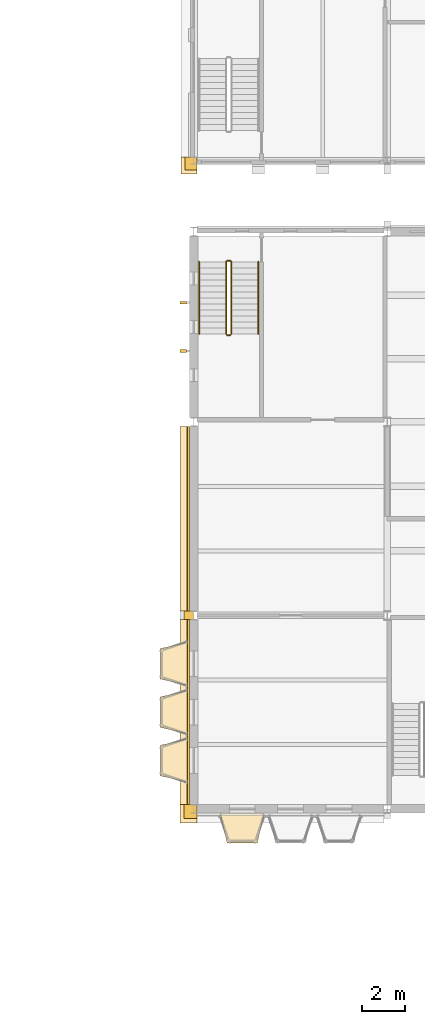
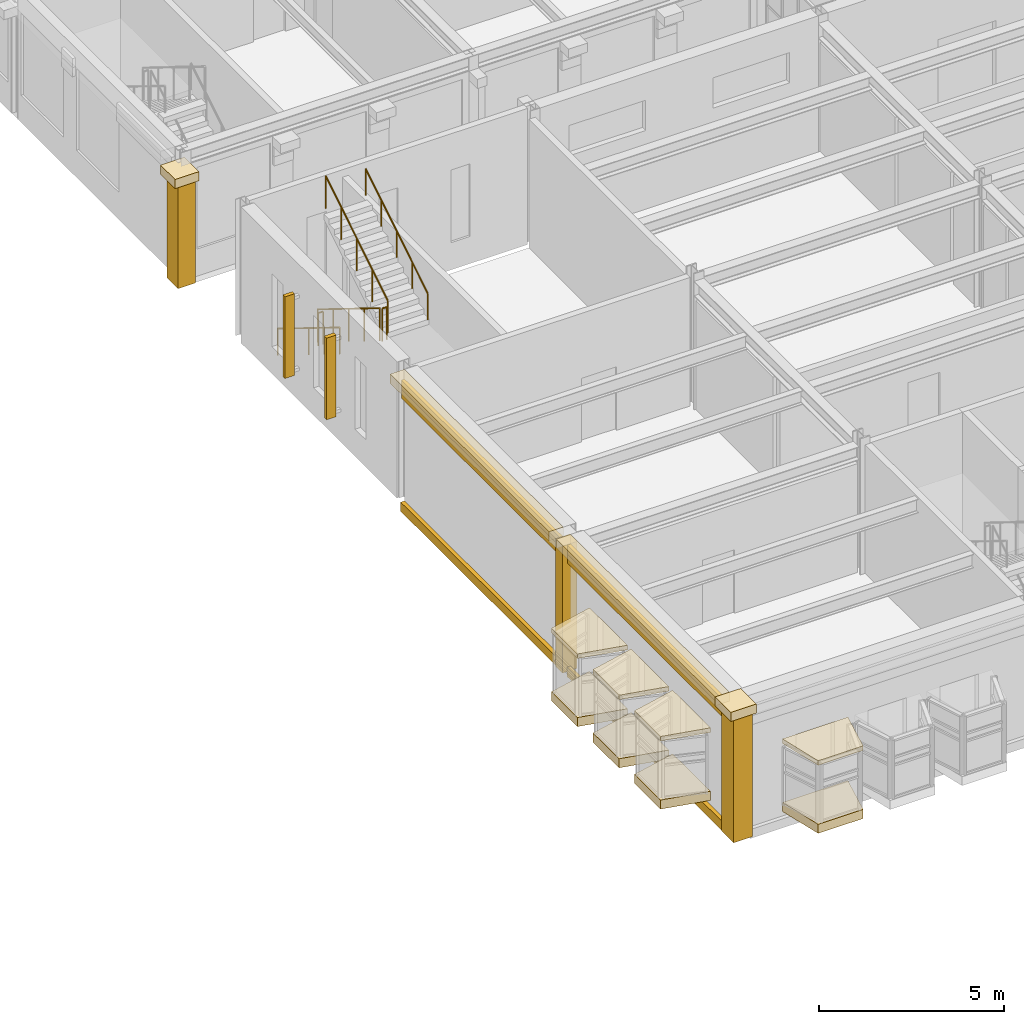
# One storey, part 131 of 153: 21 coverings, 6 railings, 2 shading devices.
"""IFC4 building model written with IfcOpenShell, lengths in metres."""

from ifc_helpers import new_model, si_unit, direction, frame, origin, origin_2d, place, context, subcontext, project, spatial, polyline, rectangle, circle, outline, extrude, material, layer, layer_set, type_object, element, save


model = new_model("IFC4")

# Units and contexts
model_context = context("Model", 3, precision=1e-05, world=origin(), true_north=direction((0.0, 1.0)))
body_context = subcontext(model_context, "Body", "Model", "MODEL_VIEW")
ifc_project = project(units=[si_unit("LENGTHUNIT", "METRE"), si_unit("AREAUNIT", "SQUARE_METRE"), si_unit("VOLUMEUNIT", "CUBIC_METRE"), si_unit("PLANEANGLEUNIT", "RADIAN"), si_unit("MASSUNIT", "GRAM", prefix="KILO")], contexts=[model_context])

# Site, building, storey
site_placement = place(None, origin())
site = spatial("IfcSite", under=ifc_project, at=site_placement, CompositionType="ELEMENT")
building_placement = place(site_placement, origin())
building = spatial("IfcBuilding", under=site, at=building_placement, Name="Kallimachos Central Library", CompositionType="ELEMENT")
storey_placement = place(building_placement, frame((0.0, 0.0, 5.39990234375)))
storey = spatial("IfcBuildingStorey", under=building, at=storey_placement, Name="L01", CompositionType="ELEMENT", Elevation=5.39990234375)

# Coverings
ifc_material_1 = material(Name="Glazed ceramic frieze, green")
ifc_layer_1 = layer(ifc_material_1, 0.10009765625)
ifc_layer_set_1 = layer_set([ifc_layer_1], Name="Glazed ceramic frieze, green")
covering_type_1 = type_object("IfcCoveringType", Name="Glazed ceramic frieze, green", PredefinedType="CLADDING", material=ifc_layer_set_1)
for number, where, z_axis, x_axis, name in (
    (1, (65.25, 22.5, 3.8798828125), (0.0, 0.0, 1.0), (1.0, 0.0, 0.0), "Glazed ceramic frieze, green -L01-020"),
    (2, (65.25, 31.5, 3.8798828125), (0.0, 0.0, 1.0), (1.0, 0.0, 0.0), "Glazed ceramic frieze, green -L01-021"),
):
    element("IfcCovering", number, at=place(storey_placement, frame(where, z_axis=z_axis, x_axis=x_axis)), inside=storey, type_object=covering_type_1, Name=name, PredefinedType="CLADDING", context=body_context, shape_type="SweptSolid", body=[
        extrude(rectangle(XDim=0.10009765625, YDim=8.60009765625, at=origin_2d()), origin(), (0.0, 0.0, 1.0), 0.300048828125),
    ])
ifc_material_2 = material(Name="Glazed ceramic frieze, ochre")
ifc_layer_2 = layer(ifc_material_2, 0.10009765625)
ifc_layer_set_2 = layer_set([ifc_layer_2], Name="Glazed ceramic frieze, ochre")
covering_type_2 = type_object("IfcCoveringType", Name="Glazed ceramic frieze, ochre", PredefinedType="CLADDING", material=ifc_layer_set_2)
for number, where, z_axis, x_axis, name in (
    (3, (65.25, 22.5, 3.580078125), (0.0, 0.0, 1.0), (1.0, 0.0, 0.0), "Glazed ceramic frieze, ochre -L01-020"),
    (4, (65.25, 31.5, 3.580078125), (0.0, 0.0, 1.0), (1.0, 0.0, 0.0), "Glazed ceramic frieze, ochre -L01-021"),
):
    element("IfcCovering", number, at=place(storey_placement, frame(where, z_axis=z_axis, x_axis=x_axis)), inside=storey, type_object=covering_type_2, Name=name, PredefinedType="CLADDING", context=body_context, shape_type="SweptSolid", body=[
        extrude(rectangle(XDim=0.10009765625, YDim=8.60009765625, at=origin_2d()), origin(), (0.0, 0.0, 1.0), 0.300048828125),
    ])

# Railings
ifc_material_3 = material(Name="Steel S355J2", Category="steel")
railing_type_1 = type_object("IfcRailingType", Name="Stair handrail 900", PredefinedType="HANDRAIL", material=ifc_material_3)
railing_1_placement = place(storey_placement, frame((65.75, 43.449951171875, 0.173095703125)))
element("IfcRailing", 5, at=railing_1_placement, inside=storey, type_object=railing_type_1, Name="L01 ST15 stair handrail 1", PredefinedType="HANDRAIL", context=body_context, shape_type="SweptSolid", body=[
    extrude(circle(Radius=0.02392578125, at=origin_2d()), frame((0.0, 0.0, 0.8759765625), z_axis=(0.0, -0.850606129759, 0.525803396734), x_axis=(1.0, 0.0, 0.0)), (0.0, 0.0, 1.0), 3.949951171875),
    extrude(circle(Radius=0.02099609375, at=origin_2d()), origin(), (0.0, 0.0, 1.0), 0.851806640625),
    extrude(circle(Radius=0.02099609375, at=origin_2d()), frame((0.0, -0.83984375, 0.519287109375)), (0.0, 0.0, 1.0), 0.851806640625),
    extrude(circle(Radius=0.02099609375, at=origin_2d()), frame((0.0, -1.679931640625, 1.03857421875)), (0.0, 0.0, 1.0), 0.851806640625),
    extrude(circle(Radius=0.02099609375, at=origin_2d()), frame((0.0, -2.52001953125, 1.5576171875)), (0.0, 0.0, 1.0), 0.851806640625),
    extrude(circle(Radius=0.02099609375, at=origin_2d()), frame((0.0, -3.35986328125, 2.076904296875)), (0.0, 0.0, 1.0), 0.851806640625),
])
railing_2_placement = place(storey_placement, frame((68.5, 40.090087890625, 2.423095703125)))
element("IfcRailing", 6, at=railing_2_placement, inside=storey, type_object=railing_type_1, Name="L01 ST15 stair handrail 2", PredefinedType="HANDRAIL", context=body_context, shape_type="SweptSolid", body=[
    extrude(circle(Radius=0.02392578125, at=origin_2d()), frame((0.0, 0.0, 0.8759765625), z_axis=(0.0, 0.850606129759, 0.525803396734), x_axis=(-1.0, 0.0, 0.0)), (0.0, 0.0, 1.0), 3.949951171875),
    extrude(circle(Radius=0.02099609375, at=origin_2d()), origin(), (0.0, 0.0, 1.0), 0.851806640625),
    extrude(circle(Radius=0.02099609375, at=origin_2d()), frame((0.0, 0.83984375, 0.519287109375)), (0.0, 0.0, 1.0), 0.851806640625),
    extrude(circle(Radius=0.02099609375, at=origin_2d()), frame((0.0, 1.679931640625, 1.03857421875)), (0.0, 0.0, 1.0), 0.851806640625),
    extrude(circle(Radius=0.02099609375, at=origin_2d()), frame((0.0, 2.52001953125, 1.5576171875)), (0.0, 0.0, 1.0), 0.851806640625),
    extrude(circle(Radius=0.02099609375, at=origin_2d()), frame((0.0, 3.35986328125, 2.076904296875)), (0.0, 0.0, 1.0), 0.851806640625),
])

# Coverings
ifc_material_4 = material(Name="Pentelic marble attic moulding", Category="masonry")
ifc_layer_3 = layer(ifc_material_4, 0.1201171875)
ifc_layer_set_3 = layer_set([ifc_layer_3], Name="Stone attic moulding 300")
covering_type_3 = type_object("IfcCoveringType", Name="Stone attic moulding 300", PredefinedType="MOLDING", material=ifc_layer_set_3)
for number, where, z_axis, x_axis, name in (
    (7, (65.239990234375, 22.5, -0.14990234375), (0.0, 0.0, 1.0), (1.0, 0.0, 0.0), "Stone attic moulding 300 -L01-020"),
    (8, (65.239990234375, 31.5, -0.14990234375), (0.0, 0.0, 1.0), (1.0, 0.0, 0.0), "Stone attic moulding 300 -L01-021"),
):
    element("IfcCovering", number, at=place(storey_placement, frame(where, z_axis=z_axis, x_axis=x_axis)), inside=storey, type_object=covering_type_3, Name=name, PredefinedType="MOLDING", context=body_context, shape_type="SweptSolid", body=[
        extrude(rectangle(XDim=0.1201171875, YDim=8.60009765625, at=origin_2d()), origin(), (0.0, 0.0, 1.0), 0.300048828125),
    ])
ifc_material_5 = material(Name="Pentelic marble cornice", Category="masonry")
ifc_layer_4 = layer(ifc_material_5, 0.449951171875)
ifc_layer_set_4 = layer_set([ifc_layer_4], Name="Stone cornice 450")
covering_type_4 = type_object("IfcCoveringType", Name="Stone cornice 450", PredefinedType="MOLDING", material=ifc_layer_set_4)
for number, where, z_axis, x_axis, name in (
    (9, (65.074951171875, 22.5, 4.2001953125), (0.0, 0.0, 1.0), (1.0, 0.0, 0.0), "Stone cornice 450 -L01-020"),
    (10, (65.074951171875, 31.5, 4.2001953125), (0.0, 0.0, 1.0), (1.0, 0.0, 0.0), "Stone cornice 450 -L01-021"),
):
    element("IfcCovering", number, at=place(storey_placement, frame(where, z_axis=z_axis, x_axis=x_axis)), inside=storey, type_object=covering_type_4, Name=name, PredefinedType="MOLDING", context=body_context, shape_type="SweptSolid", body=[
        extrude(rectangle(XDim=0.449951171875, YDim=8.60009765625, at=origin_2d()), origin(), (0.0, 0.0, 1.0), 0.300048828125),
    ])
covering_1_placement = place(storey_placement, frame((65.25, 17.77490234375, 4.2001953125), z_axis=(0.0, 0.0, 1.0), x_axis=(1.0, 0.0, 0.0)))
element("IfcCovering", 11, at=covering_1_placement, inside=storey, type_object=covering_type_4, Name="Stone cornice 450 corner", PredefinedType="MOLDING", context=body_context, shape_type="SweptSolid", body=[
    extrude(rectangle(XDim=0.800048828125, YDim=0.85009765625, at=origin_2d()), origin(), (0.0, 0.0, 1.0), 0.300048828125),
])
covering_2_placement = place(storey_placement, frame((65.27490234375, 47.925048828125, 3.5), z_axis=(0.0, 0.0, 1.0), x_axis=(1.0, 0.0, 0.0)))
element("IfcCovering", 12, at=covering_2_placement, inside=storey, type_object=covering_type_4, Name="Stone cornice 450 corner", PredefinedType="MOLDING", context=body_context, shape_type="SweptSolid", body=[
    extrude(rectangle(XDim=0.75, YDim=0.7900390625, at=origin_2d()), origin(), (0.0, 0.0, 1.0), 0.300048828125),
])
ifc_material_6 = material(Name="Pentelic marble pilaster", Category="masonry")
ifc_layer_5 = layer(ifc_material_6, 0.25)
ifc_layer_set_5 = layer_set([ifc_layer_5], Name="Stone pilaster 250")
covering_type_5 = type_object("IfcCoveringType", Name="Stone pilaster 250", PredefinedType="CLADDING", material=ifc_layer_set_5)
covering_3_placement = place(storey_placement, frame((65.27490234375, 27.0, 0.0), z_axis=(0.0, 0.0, 1.0), x_axis=(1.0, 0.0, 0.0)))
element("IfcCovering", 13, at=covering_3_placement, inside=storey, type_object=covering_type_5, Name="Stone pilaster 250 -L01-020", PredefinedType="CLADDING", context=body_context, shape_type="SweptSolid", body=[
    extrude(rectangle(XDim=0.449951171875, YDim=0.39990234375, at=origin_2d()), origin(), (0.0, 0.0, 1.0), 4.199951171875),
])
covering_4_placement = place(storey_placement, frame((65.35009765625, 17.875, 0.0), z_axis=(0.0, 0.0, 1.0), x_axis=(1.0, 0.0, 0.0)))
element("IfcCovering", 14, at=covering_4_placement, inside=storey, type_object=covering_type_5, Name="Stone pilaster 250 corner", PredefinedType="CLADDING", context=body_context, shape_type="SweptSolid", body=[
    extrude(rectangle(XDim=0.60009765625, YDim=0.64990234375, at=origin_2d()), origin(), (0.0, 0.0, 1.0), 4.199951171875),
])
covering_5_placement = place(storey_placement, frame((65.375, 48.02490234375, 0.0), z_axis=(0.0, 0.0, 1.0), x_axis=(1.0, 0.0, 0.0)))
element("IfcCovering", 15, at=covering_5_placement, inside=storey, type_object=covering_type_5, Name="Stone pilaster 250 corner", PredefinedType="CLADDING", context=body_context, shape_type="SweptSolid", body=[
    extrude(rectangle(XDim=0.550048828125, YDim=0.590087890625, at=origin_2d()), origin(), (0.0, 0.0, 1.0), 3.5),
])

# Shading devices
ifc_material_7 = material(Name="Pentelic marble fin", Category="masonry")
ifc_layer_6 = layer(ifc_material_7, 0.1201171875)
ifc_layer_set_6 = layer_set([ifc_layer_6], Name="Stone sun-shade fin 120")
shading_device_type = type_object("IfcShadingDeviceType", Name="Stone sun-shade fin 120", PredefinedType="USERDEFINED", material=ifc_layer_set_6)
for number, where, z_axis, x_axis, name in (
    (16, (65.0, 39.300048828125, 0.89990234375), (0.0, 0.0, 1.0), (1.0, 0.0, 0.0), "Stone sun-shade fin 120 -L01-022"),
    (17, (65.0, 41.550048828125, 0.89990234375), (0.0, 0.0, 1.0), (1.0, 0.0, 0.0), "Stone sun-shade fin 120 -L01-022"),
):
    element("IfcShadingDevice", number, at=place(storey_placement, frame(where, z_axis=z_axis, x_axis=x_axis)), inside=storey, type_object=shading_device_type, Name=name, ObjectType="FIN", PredefinedType="USERDEFINED", context=body_context, shape_type="SweptSolid", body=[
        extrude(rectangle(XDim=0.300048828125, YDim=0.1201171875, at=origin_2d()), origin(), (0.0, 0.0, 1.0), 2.699951171875),
    ])

# Coverings
ifc_material_8 = material(Name="Lead-coated copper sheet")
ifc_layer_7 = layer(ifc_material_8, 0.14990234375)
ifc_layer_set_7 = layer_set([ifc_layer_7], Name="Tribune bay roof cap 150")
covering_type_6 = type_object("IfcCoveringType", Name="Tribune bay roof cap 150", PredefinedType="ROOFING", material=ifc_layer_set_7)
covering_6_placement = place(storey_placement, frame((0.0, 0.0, 2.550048828125)))
element("IfcCovering", 18, at=covering_6_placement, inside=storey, type_object=covering_type_6, Name="Tribune bay roof cap", PredefinedType="ROOFING", context=body_context, shape_type="SweptSolid", body=[
    extrude(outline(polyline([(66.72509765625, 17.800048828125), (68.77490234375, 17.800048828125), (68.455078125, 16.419921875), (67.044921875, 16.419921875), (66.72509765625, 17.800048828125)])), origin(), (0.0, 0.0, 1.0), 0.150146484375),
])
covering_7_placement = place(storey_placement, frame((0.0, 0.0, 2.550048828125)))
element("IfcCovering", 19, at=covering_7_placement, inside=storey, type_object=covering_type_6, Name="Tribune bay roof cap", PredefinedType="ROOFING", context=body_context, shape_type="SweptSolid", body=[
    extrude(outline(polyline([(65.300048828125, 19.22509765625), (65.300048828125, 21.27490234375), (63.919921875, 20.955078125), (63.919921875, 19.544921875), (65.300048828125, 19.22509765625)])), origin(), (0.0, 0.0, 1.0), 0.150146484375),
])
covering_8_placement = place(storey_placement, frame((0.0, 0.0, 2.550048828125)))
element("IfcCovering", 20, at=covering_8_placement, inside=storey, type_object=covering_type_6, Name="Tribune bay roof cap", PredefinedType="ROOFING", context=body_context, shape_type="SweptSolid", body=[
    extrude(outline(polyline([(65.300048828125, 21.47509765625), (65.300048828125, 23.52490234375), (63.919921875, 23.205078125), (63.919921875, 21.794921875), (65.300048828125, 21.47509765625)])), origin(), (0.0, 0.0, 1.0), 0.150146484375),
])
covering_9_placement = place(storey_placement, frame((0.0, 0.0, 2.550048828125)))
element("IfcCovering", 21, at=covering_9_placement, inside=storey, type_object=covering_type_6, Name="Tribune bay roof cap", PredefinedType="ROOFING", context=body_context, shape_type="SweptSolid", body=[
    extrude(outline(polyline([(65.300048828125, 23.72509765625), (65.300048828125, 25.77490234375), (63.919921875, 25.455078125), (63.919921875, 24.044921875), (65.300048828125, 23.72509765625)])), origin(), (0.0, 0.0, 1.0), 0.150146484375),
])
ifc_material_9 = material(Name="Pentelic marble tribune base", Category="masonry")
ifc_layer_8 = layer(ifc_material_9, 0.300048828125)
ifc_layer_set_8 = layer_set([ifc_layer_8], Name="Tribune bay stone base 300")
covering_type_7 = type_object("IfcCoveringType", Name="Tribune bay stone base 300", PredefinedType="MOLDING", material=ifc_layer_set_8)
covering_10_placement = place(storey_placement, frame((0.0, 0.0, 0.300048828125)))
element("IfcCovering", 22, at=covering_10_placement, inside=storey, type_object=covering_type_7, Name="Tribune bay base", PredefinedType="MOLDING", context=body_context, shape_type="SweptSolid", body=[
    extrude(outline(polyline([(66.72509765625, 17.800048828125), (68.77490234375, 17.800048828125), (68.455078125, 16.419921875), (67.044921875, 16.419921875), (66.72509765625, 17.800048828125)])), origin(), (0.0, 0.0, 1.0), 0.300048828125),
])
covering_11_placement = place(storey_placement, frame((0.0, 0.0, 0.300048828125)))
element("IfcCovering", 23, at=covering_11_placement, inside=storey, type_object=covering_type_7, Name="Tribune bay base", PredefinedType="MOLDING", context=body_context, shape_type="SweptSolid", body=[
    extrude(outline(polyline([(65.300048828125, 19.22509765625), (65.300048828125, 21.27490234375), (63.919921875, 20.955078125), (63.919921875, 19.544921875), (65.300048828125, 19.22509765625)])), origin(), (0.0, 0.0, 1.0), 0.300048828125),
])
covering_12_placement = place(storey_placement, frame((0.0, 0.0, 0.300048828125)))
element("IfcCovering", 24, at=covering_12_placement, inside=storey, type_object=covering_type_7, Name="Tribune bay base", PredefinedType="MOLDING", context=body_context, shape_type="SweptSolid", body=[
    extrude(outline(polyline([(65.300048828125, 21.47509765625), (65.300048828125, 23.52490234375), (63.919921875, 23.205078125), (63.919921875, 21.794921875), (65.300048828125, 21.47509765625)])), origin(), (0.0, 0.0, 1.0), 0.300048828125),
])
covering_13_placement = place(storey_placement, frame((0.0, 0.0, 0.300048828125)))
element("IfcCovering", 25, at=covering_13_placement, inside=storey, type_object=covering_type_7, Name="Tribune bay base", PredefinedType="MOLDING", context=body_context, shape_type="SweptSolid", body=[
    extrude(outline(polyline([(65.300048828125, 23.72509765625), (65.300048828125, 25.77490234375), (63.919921875, 25.455078125), (63.919921875, 24.044921875), (65.300048828125, 23.72509765625)])), origin(), (0.0, 0.0, 1.0), 0.300048828125),
])

# Railings
ifc_material_10 = material(Name="Steel S355J2", Category="steel")
railing_type_2 = type_object("IfcRailingType", Name="Wrought-iron guard 1100", PredefinedType="GUARDRAIL", material=ifc_material_10)
railing_3_placement = place(storey_placement, frame((67.0, 43.449951171875, 0.173095703125)))
element("IfcRailing", 26, at=railing_3_placement, inside=storey, type_object=railing_type_2, Name="L01 ST15 stair guard 1", PredefinedType="GUARDRAIL", context=body_context, shape_type="SweptSolid", body=[
    extrude(circle(Radius=0.02392578125, at=origin_2d()), frame((0.0, 0.0, 1.076171875), z_axis=(0.0, -0.850606129759, 0.525803396734), x_axis=(1.0, 0.0, 0.0)), (0.0, 0.0, 1.0), 3.949951171875),
    extrude(circle(Radius=0.02099609375, at=origin_2d()), origin(), (0.0, 0.0, 1.0), 1.052001953125),
    extrude(circle(Radius=0.02099609375, at=origin_2d()), frame((0.0, -0.83984375, 0.519287109375)), (0.0, 0.0, 1.0), 1.052001953125),
    extrude(circle(Radius=0.02099609375, at=origin_2d()), frame((0.0, -1.679931640625, 1.03857421875)), (0.0, 0.0, 1.0), 1.052001953125),
    extrude(circle(Radius=0.02099609375, at=origin_2d()), frame((0.0, -2.52001953125, 1.5576171875)), (0.0, 0.0, 1.0), 1.052001953125),
    extrude(circle(Radius=0.02099609375, at=origin_2d()), frame((0.0, -3.35986328125, 2.076904296875)), (0.0, 0.0, 1.0), 1.052001953125),
])
railing_4_placement = place(storey_placement, frame((67.050048828125, 40.0400390625, 2.25)))
element("IfcRailing", 27, at=railing_4_placement, inside=storey, type_object=railing_type_2, Name="L01 ST15 stair guard 2", PredefinedType="GUARDRAIL", context=body_context, shape_type="SweptSolid", body=[
    extrude(circle(Radius=0.02392578125, at=origin_2d()), frame((0.0, 0.0, 1.076171875), z_axis=(1.0, 0.0, 0.0), x_axis=(0.0, 1.0, 0.0)), (0.0, 0.0, 1.0), 0.14990234375),
    extrude(circle(Radius=0.02099609375, at=origin_2d()), origin(), (0.0, 0.0, 1.0), 1.052001953125),
    extrude(circle(Radius=0.02099609375, at=origin_2d()), frame((0.14990234375, 0.0, 0.0)), (0.0, 0.0, 1.0), 1.052001953125),
])
railing_5_placement = place(storey_placement, frame((67.25, 40.090087890625, 2.423095703125)))
element("IfcRailing", 28, at=railing_5_placement, inside=storey, type_object=railing_type_2, Name="L01 ST15 stair guard 3", PredefinedType="GUARDRAIL", context=body_context, shape_type="SweptSolid", body=[
    extrude(circle(Radius=0.02392578125, at=origin_2d()), frame((0.0, 0.0, 1.076171875), z_axis=(0.0, 0.850606129759, 0.525803396734), x_axis=(-1.0, 0.0, 0.0)), (0.0, 0.0, 1.0), 3.949951171875),
    extrude(circle(Radius=0.02099609375, at=origin_2d()), origin(), (0.0, 0.0, 1.0), 1.052001953125),
    extrude(circle(Radius=0.02099609375, at=origin_2d()), frame((0.0, 0.83984375, 0.519287109375)), (0.0, 0.0, 1.0), 1.052001953125),
    extrude(circle(Radius=0.02099609375, at=origin_2d()), frame((0.0, 1.679931640625, 1.03857421875)), (0.0, 0.0, 1.0), 1.052001953125),
    extrude(circle(Radius=0.02099609375, at=origin_2d()), frame((0.0, 2.52001953125, 1.5576171875)), (0.0, 0.0, 1.0), 1.052001953125),
    extrude(circle(Radius=0.02099609375, at=origin_2d()), frame((0.0, 3.35986328125, 2.076904296875)), (0.0, 0.0, 1.0), 1.052001953125),
])
railing_6_placement = place(storey_placement, frame((67.050048828125, 43.5, 0.0)))
element("IfcRailing", 29, at=railing_6_placement, inside=storey, type_object=railing_type_2, Name="L01 ST15 stair guard 4", PredefinedType="GUARDRAIL", context=body_context, shape_type="SweptSolid", body=[
    extrude(circle(Radius=0.02392578125, at=origin_2d()), frame((0.0, 0.0, 1.076171875), z_axis=(1.0, 0.0, 0.0), x_axis=(0.0, 1.0, 0.0)), (0.0, 0.0, 1.0), 0.14990234375),
    extrude(circle(Radius=0.02099609375, at=origin_2d()), origin(), (0.0, 0.0, 1.0), 1.052001953125),
    extrude(circle(Radius=0.02099609375, at=origin_2d()), frame((0.14990234375, 0.0, 0.0)), (0.0, 0.0, 1.0), 1.052001953125),
])

save(model, "model.ifc")
